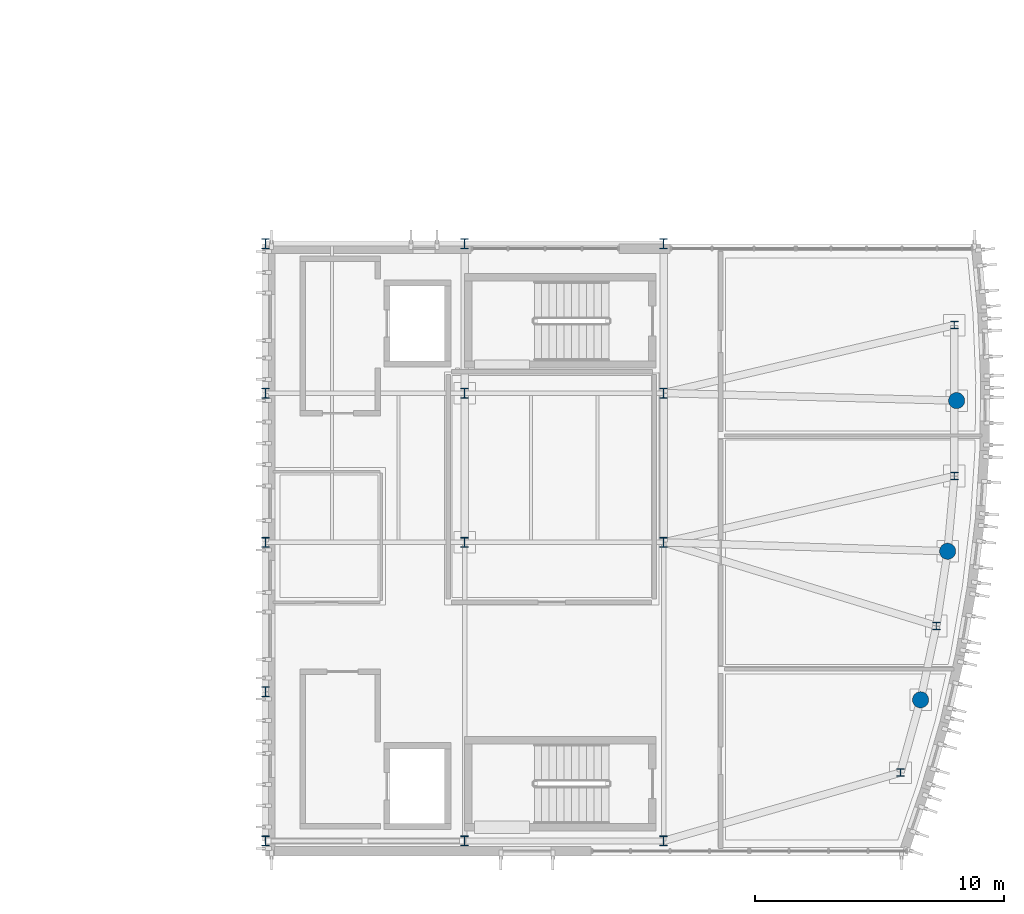
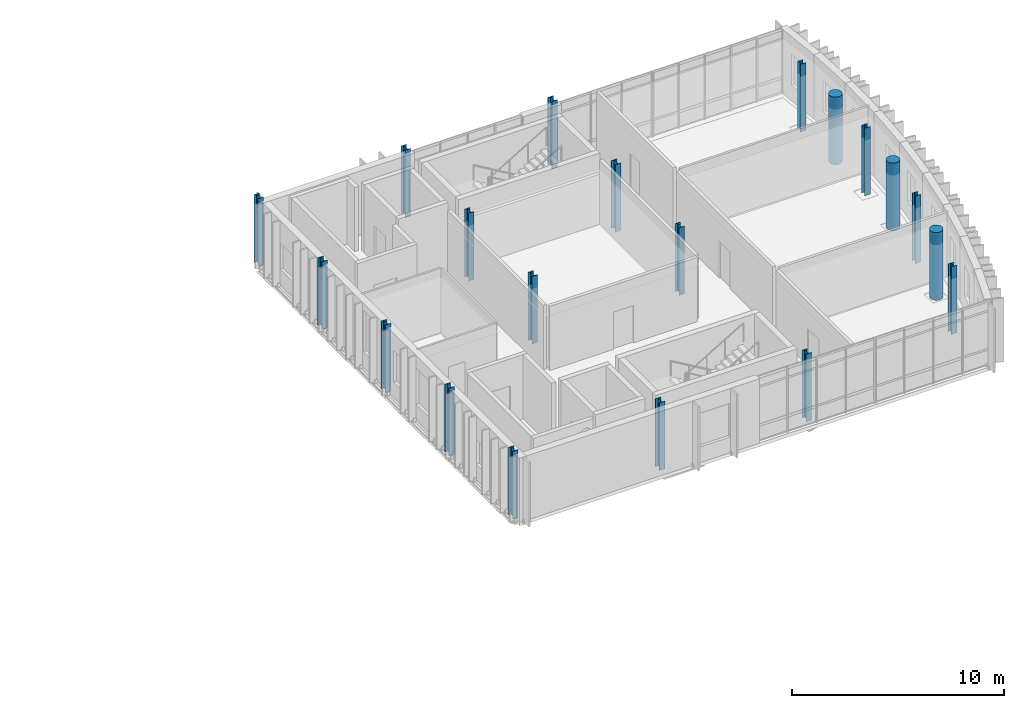
# One storey, part 1 of 14: 20 columns.
"""IFC4 building model written with IfcOpenShell, lengths in metres."""

from ifc_helpers import new_model, si_unit, direction, frame, origin, origin_2d, place, context, subcontext, project, spatial, circle, i_section, extrude, material, material_profile, profile_set, type_object, element, save


model = new_model("IFC4")

# Units and contexts
model_context = context("Model", 3, precision=1e-05, world=origin(), true_north=direction((0.0, 1.0)))
body_context = subcontext(model_context, "Body", "Model", "MODEL_VIEW")
ifc_project = project(units=[si_unit("LENGTHUNIT", "METRE"), si_unit("AREAUNIT", "SQUARE_METRE"), si_unit("VOLUMEUNIT", "CUBIC_METRE"), si_unit("PLANEANGLEUNIT", "RADIAN"), si_unit("MASSUNIT", "GRAM", prefix="KILO")], contexts=[model_context])

# Site, building, storey
site_placement = place(None, origin())
site = spatial("IfcSite", under=ifc_project, at=site_placement, CompositionType="ELEMENT")
building_placement = place(site_placement, origin())
building = spatial("IfcBuilding", under=site, at=building_placement, Name="Cymarion Research Institute", CompositionType="ELEMENT")
storey_placement = place(building_placement, frame((0.0, 0.0, 34.5)))
storey = spatial("IfcBuildingStorey", under=building, at=storey_placement, Name="L08", CompositionType="ELEMENT", Elevation=34.5)

# Columns
ifc_material_1 = material(Name="Steel S355", Category="steel")
ifc_material_profile_1 = material_profile(ifc_material_1, i_section(OverallWidth=0.300048828125, OverallDepth=0.39990234375, WebThickness=0.013427734375, FlangeThickness=0.02392578125, FilletRadius=0.027099609375, at=origin_2d()), Name="HEB 400")
ifc_profile_set_1 = profile_set([ifc_material_profile_1], Name="Steel S355")
column_type_1 = type_object("IfcColumnType", Name="STRUCTURAL COLUMN C06 HEB 400", PredefinedType="COLUMN", material=ifc_profile_set_1)
for number, where, z_axis, x_axis, name in (
    (1, (138.60009765625, 5.5, 0.0), (0.0, 0.0, 1.0), (1.0, 0.0, 0.0), "L08 V1 column C06 #1277"),
    (2, (138.60009765625, 11.5, 0.0), (0.0, 0.0, 1.0), (1.0, 0.0, 0.0), "L08 V1 column C06 #1278"),
    (3, (138.60009765625, 17.5, 0.0), (0.0, 0.0, 1.0), (1.0, 0.0, 0.0), "L08 V1 column C06 #1279"),
    (4, (138.60009765625, 23.5, 0.0), (0.0, 0.0, 1.0), (1.0, 0.0, 0.0), "L08 V1 column C06 #1280"),
    (5, (138.60009765625, 29.5, 0.0), (0.0, 0.0, 1.0), (1.0, 0.0, 0.0), "L08 V1 column C06 #1281"),
    (6, (146.60009765625, 5.5, 0.0), (0.0, 0.0, 1.0), (1.0, 0.0, 0.0), "L08 V1 column C06 #1282"),
    (7, (146.60009765625, 17.5, 0.0), (0.0, 0.0, 1.0), (1.0, 0.0, 0.0), "L08 V1 column C06 #1283"),
    (8, (146.60009765625, 23.5, 0.0), (0.0, 0.0, 1.0), (1.0, 0.0, 0.0), "L08 V1 column C06 #1284"),
    (9, (146.60009765625, 29.5, 0.0), (0.0, 0.0, 1.0), (1.0, 0.0, 0.0), "L08 V1 column C06 #1285"),
    (10, (154.60009765625, 5.5, 0.0), (0.0, 0.0, 1.0), (1.0, 0.0, 0.0), "L08 V1 column C06 #1286"),
    (11, (154.60009765625, 17.5, 0.0), (0.0, 0.0, 1.0), (1.0, 0.0, 0.0), "L08 V1 column C06 #1287"),
    (12, (154.60009765625, 23.5, 0.0), (0.0, 0.0, 1.0), (1.0, 0.0, 0.0), "L08 V1 column C06 #1288"),
    (13, (154.60009765625, 29.5, 0.0), (0.0, 0.0, 1.0), (1.0, 0.0, 0.0), "L08 V1 column C06 #1289"),
):
    element("IfcColumn", number, at=place(storey_placement, frame(where, z_axis=z_axis, x_axis=x_axis)), inside=storey, type_object=column_type_1, Name=name, PredefinedType="COLUMN", context=body_context, shape_type="SweptSolid", body=[
        extrude(i_section(OverallWidth=0.300048828125, OverallDepth=0.39990234375, WebThickness=0.013427734375, FlangeThickness=0.02392578125, FilletRadius=0.027099609375, at=origin_2d()), origin(), (0.0, 0.0, 1.0), 3.89990234375),
    ])
ifc_material_profile_2 = material_profile(ifc_material_1, i_section(OverallWidth=0.300048828125, OverallDepth=0.300048828125, WebThickness=0.010986328125, FlangeThickness=0.01904296875, FilletRadius=0.027099609375, at=origin_2d()), Name="HEB 300")
ifc_profile_set_2 = profile_set([ifc_material_profile_2], Name="Steel S355")
column_type_2 = type_object("IfcColumnType", Name="STRUCTURAL COLUMN C08 HEB 300", PredefinedType="COLUMN", material=ifc_profile_set_2)
for number, where, z_axis, x_axis, name in (
    (14, (164.118896484375, 8.2470703125, 0.0), (0.0, 0.0, 1.0), (1.0, 0.0, 0.0), "L08 V1 column C08 #1290"),
    (15, (165.559814453125, 14.1416015625, 0.0), (0.0, 0.0, 1.0), (1.0, 0.0, 0.0), "L08 V1 column C08 #1292"),
    (16, (166.285400390625, 20.166015625, 0.0), (0.0, 0.0, 1.0), (1.0, 0.0, 0.0), "L08 V1 column C08 #1294"),
    (17, (166.285400390625, 26.23388671875, 0.0), (0.0, 0.0, 1.0), (1.0, 0.0, 0.0), "L08 V1 column C08 #1295"),
):
    element("IfcColumn", number, at=place(storey_placement, frame(where, z_axis=z_axis, x_axis=x_axis)), inside=storey, type_object=column_type_2, Name=name, PredefinedType="COLUMN", context=body_context, shape_type="SweptSolid", body=[
        extrude(i_section(OverallWidth=0.300048828125, OverallDepth=0.300048828125, WebThickness=0.010986328125, FlangeThickness=0.01904296875, FilletRadius=0.027099609375, at=origin_2d()), origin(), (0.0, 0.0, 1.0), 3.89990234375),
    ])
ifc_material_2 = material(Name="Concrete C40/50", Category="concrete")
ifc_material_profile_3 = material_profile(ifc_material_2, circle(Radius=0.324951171875, at=origin_2d()), Name="RC D650")
ifc_profile_set_3 = profile_set([ifc_material_profile_3], Name="Concrete C40/50")
column_type_3 = type_object("IfcColumnType", Name="STRUCTURAL COLUMN C21 RC D650", PredefinedType="COLUMN", material=ifc_profile_set_3)
for number, where, z_axis, x_axis, name in (
    (18, (164.927734375, 11.172607421875, 0.0), (0.0, 0.0, 1.0), (1.0, 0.0, 0.0), "L08 V1 column C21 #1291"),
    (19, (166.012939453125, 17.142822265625, 0.0), (0.0, 0.0, 1.0), (1.0, 0.0, 0.0), "L08 V1 column C21 #1293"),
    (20, (166.37646484375, 23.199951171875, 0.0), (0.0, 0.0, 1.0), (1.0, 0.0, 0.0), "L08 V1 column C21 #1296"),
):
    element("IfcColumn", number, at=place(storey_placement, frame(where, z_axis=z_axis, x_axis=x_axis)), inside=storey, type_object=column_type_3, Name=name, PredefinedType="COLUMN", context=body_context, shape_type="SweptSolid", body=[
        extrude(circle(Radius=0.324951171875, at=origin_2d()), origin(), (0.0, 0.0, 1.0), 3.89990234375),
    ])

save(model, "model.ifc")
